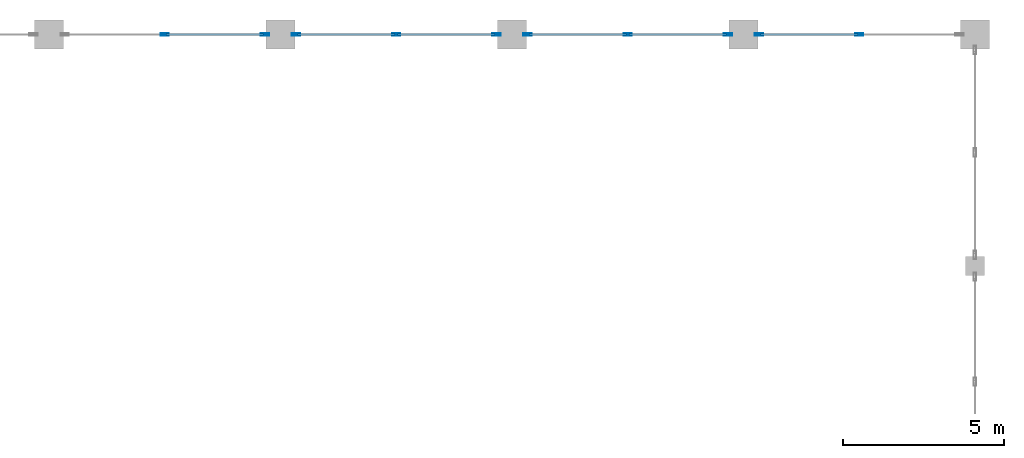
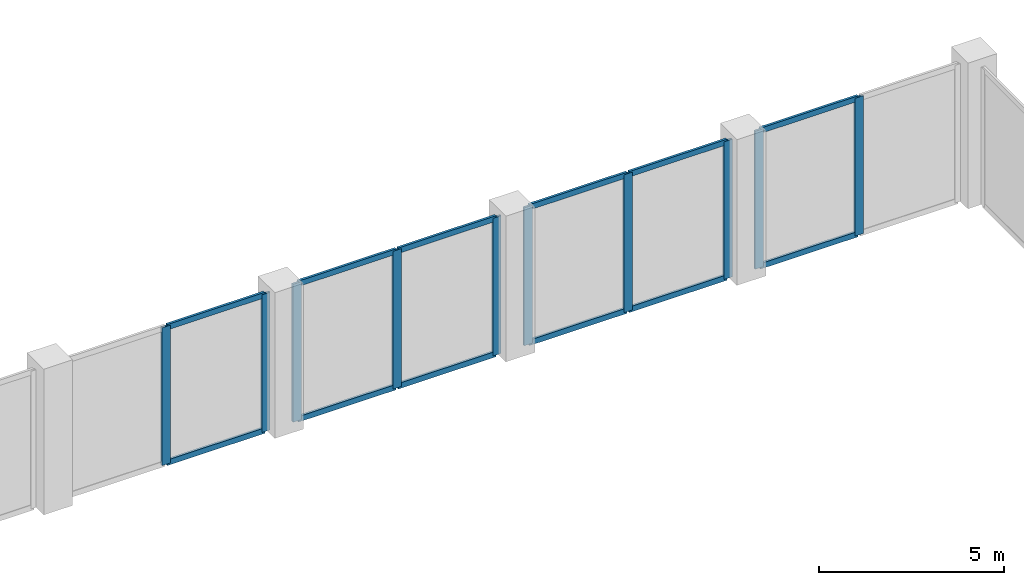
# One storey, part 31 of 99: 22 members, 4 elements without a shape of their own.
"""IFC4 building model written with IfcOpenShell, lengths in metres."""

from ifc_helpers import new_model, si_unit, direction, frame, origin, origin_2d, place, context, subcontext, project, spatial, hollow_rectangle, extrude, material, material_profile, profile_set, type_object, element, aggregate, save


model = new_model("IFC4")

# Units and contexts
model_context = context("Model", 3, precision=1e-05, world=origin(), true_north=direction((0.0, 1.0)))
body_context = subcontext(model_context, "Body", "Model", "MODEL_VIEW")
ifc_project = project(units=[si_unit("LENGTHUNIT", "METRE"), si_unit("AREAUNIT", "SQUARE_METRE"), si_unit("VOLUMEUNIT", "CUBIC_METRE"), si_unit("PLANEANGLEUNIT", "RADIAN"), si_unit("MASSUNIT", "GRAM", prefix="KILO")], contexts=[model_context])

# Site, building, storey
site_placement = place(None, origin())
site = spatial("IfcSite", under=ifc_project, at=site_placement, CompositionType="ELEMENT")
building_placement = place(site_placement, origin())
building = spatial("IfcBuilding", under=site, at=building_placement, Name="Vesperath Aquatics Centre", CompositionType="ELEMENT")
storey_placement = place(building_placement, frame((0.0, 0.0, 5.39990234375)))
storey = spatial("IfcBuildingStorey", under=building, at=storey_placement, Name="L01", CompositionType="ELEMENT", Elevation=5.39990234375)

# Curtain wall, members
ifc_material_1 = material(Name="Thermally broken anodised bronze aluminium curtain wall", Category="aluminium")
curtain_wall_type = type_object("IfcCurtainWallType", Name="CW-02", PredefinedType="NOTDEFINED", material=ifc_material_1)
curtain_wall_1_placement = place(storey_placement, origin())
curtain_wall_1 = element("IfcCurtainWall", 1, at=curtain_wall_1_placement, inside=storey, type_object=curtain_wall_type, Name="Facade Curtain Wall CW02 L01_N_04_16", PredefinedType="NOTDEFINED")
ifc_material_2 = material(Name="Thermally broken anodised aluminium", Category="aluminium")
ifc_material_profile_1 = material_profile(ifc_material_2, hollow_rectangle(XDim=0.074951171875, YDim=0.260009765625, WallThickness=0.006103515625, at=origin_2d()), Name="CWM 75x260x6")
ifc_profile_set_1 = profile_set([ifc_material_profile_1], Name="Thermally broken anodised aluminium")
member_type_1 = type_object("IfcMemberType", Name="MB-CWM1", PredefinedType="MULLION", material=ifc_profile_set_1)
member_1_placement = place(storey_placement, frame((32.39990234375, 115.199951171875, 0.0), z_axis=(0.0, 0.0, 1.0), x_axis=(0.0, 1.0, 0.0)))
member_1 = element("IfcMember", 2, at=member_1_placement, type_object=member_type_1, Name="CW02 mullion 2", PredefinedType="MULLION", context=body_context, shape_type="SweptSolid", body=[
    extrude(hollow_rectangle(XDim=0.074951171875, YDim=0.260009765625, WallThickness=0.006103515625, at=origin_2d()), origin(), (0.0, 0.0, 1.0), 4.5400390625),
])
member_2_placement = place(storey_placement, frame((35.512451171875, 115.199951171875, 0.0), z_axis=(0.0, 0.0, 1.0), x_axis=(0.0, 1.0, 0.0)))
member_2 = element("IfcMember", 3, at=member_2_placement, type_object=member_type_1, Name="CW02 mullion 3", PredefinedType="MULLION", context=body_context, shape_type="SweptSolid", body=[
    extrude(hollow_rectangle(XDim=0.074951171875, YDim=0.260009765625, WallThickness=0.006103515625, at=origin_2d()), origin(), (0.0, 0.0, 1.0), 4.5400390625),
])

curtain_wall_2_placement = place(storey_placement, origin())
curtain_wall_2 = element("IfcCurtainWall", 4, at=curtain_wall_2_placement, inside=storey, type_object=curtain_wall_type, Name="Facade Curtain Wall CW02 L01_N_05_16", PredefinedType="NOTDEFINED")
member_3_placement = place(storey_placement, frame((36.487548828125, 115.199951171875, 0.0), z_axis=(0.0, 0.0, 1.0), x_axis=(0.0, 1.0, 0.0)))
member_3 = element("IfcMember", 5, at=member_3_placement, type_object=member_type_1, Name="CW02 mullion 1", PredefinedType="MULLION", context=body_context, shape_type="SweptSolid", body=[
    extrude(hollow_rectangle(XDim=0.074951171875, YDim=0.260009765625, WallThickness=0.006103515625, at=origin_2d()), origin(), (0.0, 0.0, 1.0), 4.5400390625),
])
member_4_placement = place(storey_placement, frame((39.60009765625, 115.199951171875, 0.0), z_axis=(0.0, 0.0, 1.0), x_axis=(0.0, 1.0, 0.0)))
member_4 = element("IfcMember", 6, at=member_4_placement, type_object=member_type_1, Name="CW02 mullion 2", PredefinedType="MULLION", context=body_context, shape_type="SweptSolid", body=[
    extrude(hollow_rectangle(XDim=0.074951171875, YDim=0.260009765625, WallThickness=0.006103515625, at=origin_2d()), origin(), (0.0, 0.0, 1.0), 4.5400390625),
])
member_5_placement = place(storey_placement, frame((42.71240234375, 115.199951171875, 0.0), z_axis=(0.0, 0.0, 1.0), x_axis=(0.0, 1.0, 0.0)))
member_5 = element("IfcMember", 7, at=member_5_placement, type_object=member_type_1, Name="CW02 mullion 3", PredefinedType="MULLION", context=body_context, shape_type="SweptSolid", body=[
    extrude(hollow_rectangle(XDim=0.074951171875, YDim=0.260009765625, WallThickness=0.006103515625, at=origin_2d()), origin(), (0.0, 0.0, 1.0), 4.5400390625),
])

curtain_wall_3_placement = place(storey_placement, origin())
curtain_wall_3 = element("IfcCurtainWall", 8, at=curtain_wall_3_placement, inside=storey, type_object=curtain_wall_type, Name="Facade Curtain Wall CW02 L01_N_06_16", PredefinedType="NOTDEFINED")
member_6_placement = place(storey_placement, frame((43.6875, 115.199951171875, 0.0), z_axis=(0.0, 0.0, 1.0), x_axis=(0.0, 1.0, 0.0)))
member_6 = element("IfcMember", 9, at=member_6_placement, type_object=member_type_1, Name="CW02 mullion 1", PredefinedType="MULLION", context=body_context, shape_type="SweptSolid", body=[
    extrude(hollow_rectangle(XDim=0.074951171875, YDim=0.260009765625, WallThickness=0.006103515625, at=origin_2d()), origin(), (0.0, 0.0, 1.0), 4.5400390625),
])
member_7_placement = place(storey_placement, frame((46.800048828125, 115.199951171875, 0.0), z_axis=(0.0, 0.0, 1.0), x_axis=(0.0, 1.0, 0.0)))
member_7 = element("IfcMember", 10, at=member_7_placement, type_object=member_type_1, Name="CW02 mullion 2", PredefinedType="MULLION", context=body_context, shape_type="SweptSolid", body=[
    extrude(hollow_rectangle(XDim=0.074951171875, YDim=0.260009765625, WallThickness=0.006103515625, at=origin_2d()), origin(), (0.0, 0.0, 1.0), 4.5400390625),
])
member_8_placement = place(storey_placement, frame((49.91259765625, 115.199951171875, 0.0), z_axis=(0.0, 0.0, 1.0), x_axis=(0.0, 1.0, 0.0)))
member_8 = element("IfcMember", 11, at=member_8_placement, type_object=member_type_1, Name="CW02 mullion 3", PredefinedType="MULLION", context=body_context, shape_type="SweptSolid", body=[
    extrude(hollow_rectangle(XDim=0.074951171875, YDim=0.260009765625, WallThickness=0.006103515625, at=origin_2d()), origin(), (0.0, 0.0, 1.0), 4.5400390625),
])

curtain_wall_4_placement = place(storey_placement, origin())
curtain_wall_4 = element("IfcCurtainWall", 12, at=curtain_wall_4_placement, inside=storey, type_object=curtain_wall_type, Name="Facade Curtain Wall CW02 L01_N_07_16", PredefinedType="NOTDEFINED")
member_9_placement = place(storey_placement, frame((50.887451171875, 115.199951171875, 0.0), z_axis=(0.0, 0.0, 1.0), x_axis=(0.0, 1.0, 0.0)))
member_9 = element("IfcMember", 13, at=member_9_placement, type_object=member_type_1, Name="CW02 mullion 1", PredefinedType="MULLION", context=body_context, shape_type="SweptSolid", body=[
    extrude(hollow_rectangle(XDim=0.074951171875, YDim=0.260009765625, WallThickness=0.006103515625, at=origin_2d()), origin(), (0.0, 0.0, 1.0), 4.5400390625),
])
member_10_placement = place(storey_placement, frame((54.0, 115.199951171875, 0.0), z_axis=(0.0, 0.0, 1.0), x_axis=(0.0, 1.0, 0.0)))
member_10 = element("IfcMember", 14, at=member_10_placement, type_object=member_type_1, Name="CW02 mullion 2", PredefinedType="MULLION", context=body_context, shape_type="SweptSolid", body=[
    extrude(hollow_rectangle(XDim=0.074951171875, YDim=0.260009765625, WallThickness=0.006103515625, at=origin_2d()), origin(), (0.0, 0.0, 1.0), 4.5400390625),
])

# Member
ifc_material_profile_2 = material_profile(ifc_material_2, hollow_rectangle(XDim=0.074951171875, YDim=0.179931640625, WallThickness=0.0048828125, at=origin_2d()), Name="CWT 75x180x5")
ifc_profile_set_2 = profile_set([ifc_material_profile_2], Name="Thermally broken anodised aluminium")
member_type_2 = type_object("IfcMemberType", Name="MB-CWT1", PredefinedType="USERDEFINED", material=ifc_profile_set_2)
member_11_placement = place(storey_placement, frame((32.4375, 115.199951171875, 0.03759765625), z_axis=(1.0, 0.0, 0.0), x_axis=(0.0, 1.0, 0.0)))
member_11 = element("IfcMember", 15, at=member_11_placement, type_object=member_type_2, Name="CW02 transom 2.1", ObjectType="TRANSOM", PredefinedType="USERDEFINED", context=body_context, shape_type="SweptSolid", body=[
    extrude(hollow_rectangle(XDim=0.074951171875, YDim=0.179931640625, WallThickness=0.0048828125, at=origin_2d()), origin(), (0.0, 0.0, 1.0), 3.03759765625),
])

member_12_placement = place(storey_placement, frame((32.4375, 115.199951171875, 4.502685546875), z_axis=(1.0, 0.0, 0.0), x_axis=(0.0, 1.0, 0.0)))
member_12 = element("IfcMember", 16, at=member_12_placement, type_object=member_type_2, Name="CW02 transom 2.2", ObjectType="TRANSOM", PredefinedType="USERDEFINED", context=body_context, shape_type="SweptSolid", body=[
    extrude(hollow_rectangle(XDim=0.074951171875, YDim=0.179931640625, WallThickness=0.0048828125, at=origin_2d()), origin(), (0.0, 0.0, 1.0), 3.03759765625),
])

aggregate(curtain_wall_1, [member_1, member_2, member_11, member_12])

member_13_placement = place(storey_placement, frame((36.52490234375, 115.199951171875, 0.03759765625), z_axis=(1.0, 0.0, 0.0), x_axis=(0.0, 1.0, 0.0)))
member_13 = element("IfcMember", 17, at=member_13_placement, type_object=member_type_2, Name="CW02 transom 1.1", ObjectType="TRANSOM", PredefinedType="USERDEFINED", context=body_context, shape_type="SweptSolid", body=[
    extrude(hollow_rectangle(XDim=0.074951171875, YDim=0.179931640625, WallThickness=0.0048828125, at=origin_2d()), origin(), (0.0, 0.0, 1.0), 3.03759765625),
])

member_14_placement = place(storey_placement, frame((36.52490234375, 115.199951171875, 4.502685546875), z_axis=(1.0, 0.0, 0.0), x_axis=(0.0, 1.0, 0.0)))
member_14 = element("IfcMember", 18, at=member_14_placement, type_object=member_type_2, Name="CW02 transom 1.2", ObjectType="TRANSOM", PredefinedType="USERDEFINED", context=body_context, shape_type="SweptSolid", body=[
    extrude(hollow_rectangle(XDim=0.074951171875, YDim=0.179931640625, WallThickness=0.0048828125, at=origin_2d()), origin(), (0.0, 0.0, 1.0), 3.03759765625),
])

member_15_placement = place(storey_placement, frame((39.637451171875, 115.199951171875, 0.03759765625), z_axis=(1.0, 0.0, 0.0), x_axis=(0.0, 1.0, 0.0)))
member_15 = element("IfcMember", 19, at=member_15_placement, type_object=member_type_2, Name="CW02 transom 2.1", ObjectType="TRANSOM", PredefinedType="USERDEFINED", context=body_context, shape_type="SweptSolid", body=[
    extrude(hollow_rectangle(XDim=0.074951171875, YDim=0.179931640625, WallThickness=0.0048828125, at=origin_2d()), origin(), (0.0, 0.0, 1.0), 3.03759765625),
])

member_16_placement = place(storey_placement, frame((39.637451171875, 115.199951171875, 4.502685546875), z_axis=(1.0, 0.0, 0.0), x_axis=(0.0, 1.0, 0.0)))
member_16 = element("IfcMember", 20, at=member_16_placement, type_object=member_type_2, Name="CW02 transom 2.2", ObjectType="TRANSOM", PredefinedType="USERDEFINED", context=body_context, shape_type="SweptSolid", body=[
    extrude(hollow_rectangle(XDim=0.074951171875, YDim=0.179931640625, WallThickness=0.0048828125, at=origin_2d()), origin(), (0.0, 0.0, 1.0), 3.03759765625),
])

aggregate(curtain_wall_2, [member_3, member_4, member_5, member_13, member_14, member_15, member_16])

member_17_placement = place(storey_placement, frame((43.72509765625, 115.199951171875, 0.03759765625), z_axis=(1.0, 0.0, 0.0), x_axis=(0.0, 1.0, 0.0)))
member_17 = element("IfcMember", 21, at=member_17_placement, type_object=member_type_2, Name="CW02 transom 1.1", ObjectType="TRANSOM", PredefinedType="USERDEFINED", context=body_context, shape_type="SweptSolid", body=[
    extrude(hollow_rectangle(XDim=0.074951171875, YDim=0.179931640625, WallThickness=0.0048828125, at=origin_2d()), origin(), (0.0, 0.0, 1.0), 3.037353515625),
])

member_18_placement = place(storey_placement, frame((43.72509765625, 115.199951171875, 4.502685546875), z_axis=(1.0, 0.0, 0.0), x_axis=(0.0, 1.0, 0.0)))
member_18 = element("IfcMember", 22, at=member_18_placement, type_object=member_type_2, Name="CW02 transom 1.2", ObjectType="TRANSOM", PredefinedType="USERDEFINED", context=body_context, shape_type="SweptSolid", body=[
    extrude(hollow_rectangle(XDim=0.074951171875, YDim=0.179931640625, WallThickness=0.0048828125, at=origin_2d()), origin(), (0.0, 0.0, 1.0), 3.037353515625),
])

member_19_placement = place(storey_placement, frame((46.83740234375, 115.199951171875, 0.03759765625), z_axis=(1.0, 0.0, 0.0), x_axis=(0.0, 1.0, 0.0)))
member_19 = element("IfcMember", 23, at=member_19_placement, type_object=member_type_2, Name="CW02 transom 2.1", ObjectType="TRANSOM", PredefinedType="USERDEFINED", context=body_context, shape_type="SweptSolid", body=[
    extrude(hollow_rectangle(XDim=0.074951171875, YDim=0.179931640625, WallThickness=0.0048828125, at=origin_2d()), origin(), (0.0, 0.0, 1.0), 3.03759765625),
])

member_20_placement = place(storey_placement, frame((46.83740234375, 115.199951171875, 4.502685546875), z_axis=(1.0, 0.0, 0.0), x_axis=(0.0, 1.0, 0.0)))
member_20 = element("IfcMember", 24, at=member_20_placement, type_object=member_type_2, Name="CW02 transom 2.2", ObjectType="TRANSOM", PredefinedType="USERDEFINED", context=body_context, shape_type="SweptSolid", body=[
    extrude(hollow_rectangle(XDim=0.074951171875, YDim=0.179931640625, WallThickness=0.0048828125, at=origin_2d()), origin(), (0.0, 0.0, 1.0), 3.03759765625),
])

aggregate(curtain_wall_3, [member_6, member_7, member_8, member_17, member_18, member_19, member_20])

member_21_placement = place(storey_placement, frame((50.925048828125, 115.199951171875, 0.03759765625), z_axis=(1.0, 0.0, 0.0), x_axis=(0.0, 1.0, 0.0)))
member_21 = element("IfcMember", 25, at=member_21_placement, type_object=member_type_2, Name="CW02 transom 1.1", ObjectType="TRANSOM", PredefinedType="USERDEFINED", context=body_context, shape_type="SweptSolid", body=[
    extrude(hollow_rectangle(XDim=0.074951171875, YDim=0.179931640625, WallThickness=0.0048828125, at=origin_2d()), origin(), (0.0, 0.0, 1.0), 3.037353515625),
])

member_22_placement = place(storey_placement, frame((50.925048828125, 115.199951171875, 4.502685546875), z_axis=(1.0, 0.0, 0.0), x_axis=(0.0, 1.0, 0.0)))
member_22 = element("IfcMember", 26, at=member_22_placement, type_object=member_type_2, Name="CW02 transom 1.2", ObjectType="TRANSOM", PredefinedType="USERDEFINED", context=body_context, shape_type="SweptSolid", body=[
    extrude(hollow_rectangle(XDim=0.074951171875, YDim=0.179931640625, WallThickness=0.0048828125, at=origin_2d()), origin(), (0.0, 0.0, 1.0), 3.037353515625),
])

aggregate(curtain_wall_4, [member_9, member_10, member_21, member_22])

save(model, "model.ifc")
